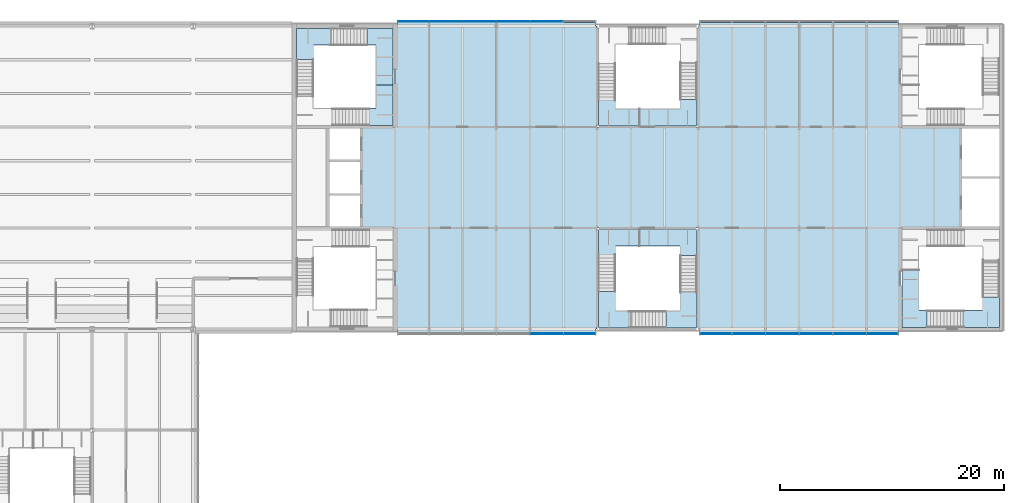
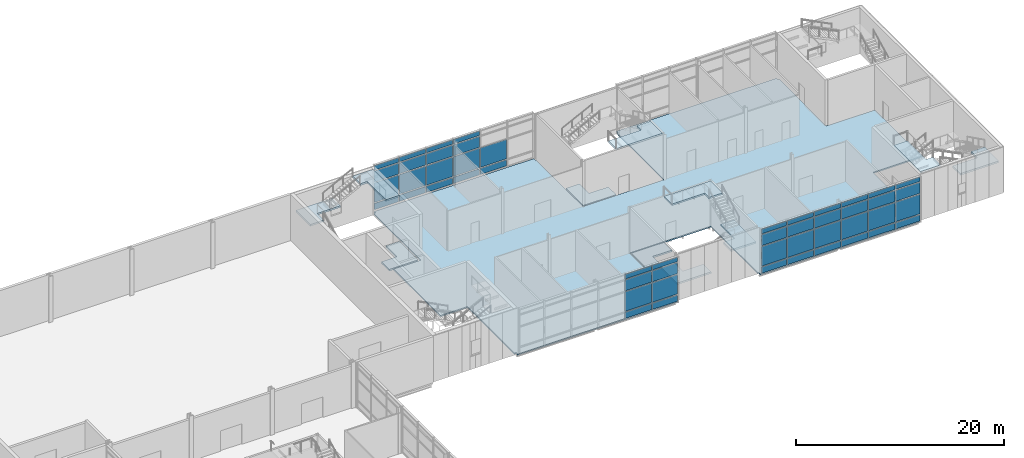
# One storey, part 31 of 52: 50 plates, 12 slabs, 7 elements without a shape of their own.
"""IFC4 building model written with IfcOpenShell, lengths in metres."""

from ifc_helpers import new_model, si_unit, direction, frame, origin, origin_2d, place, context, subcontext, project, spatial, polyline, rectangle, outline, extrude, material, layer, layer_set, type_object, element, aggregate, save


model = new_model("IFC4")

# Units and contexts
model_context = context("Model", 3, precision=1e-05, world=origin(), true_north=direction((0.0, 1.0)))
body_context = subcontext(model_context, "Body", "Model", "MODEL_VIEW")
ifc_project = project(units=[si_unit("LENGTHUNIT", "METRE"), si_unit("AREAUNIT", "SQUARE_METRE"), si_unit("VOLUMEUNIT", "CUBIC_METRE"), si_unit("PLANEANGLEUNIT", "RADIAN"), si_unit("MASSUNIT", "GRAM", prefix="KILO")], contexts=[model_context])

# Site, building, storey
site_placement = place(None, origin())
site = spatial("IfcSite", under=ifc_project, at=site_placement, CompositionType="ELEMENT")
building_placement = place(site_placement, origin())
building = spatial("IfcBuilding", under=site, at=building_placement, Name="Azimuth Sports and Learning Centre", CompositionType="ELEMENT")
storey_placement = place(building_placement, frame((0.0, 0.0, 16.199951171875)))
storey = spatial("IfcBuildingStorey", under=building, at=storey_placement, Name="L03", CompositionType="ELEMENT", Elevation=16.199951171875)

# Slab
ifc_material_1 = material(Name="Concrete C30/37", Category="concrete")
ifc_layer_1 = layer(ifc_material_1, 0.14990234375)
ifc_layer_set_1 = layer_set([ifc_layer_1], Name="Concrete C30/37")
slab_type_1 = type_object("IfcSlabType", Name="Composite floor slab 150", PredefinedType="FLOOR", material=ifc_layer_set_1)
slab_1_placement = place(storey_placement, frame((0.0, 0.0, -0.14990234375)))
element("IfcSlab", 1, at=slab_1_placement, inside=storey, type_object=slab_type_1, Name="Slab East wing L03", PredefinedType="FLOOR", context=body_context, shape_type="SweptSolid", body=[
    extrude(outline(polyline([(117.199951171875, 89.699951171875), (134.89990234375, 89.699951171875), (134.89990234375, 90.0), (135.0, 90.0), (135.0, 99.0), (144.0, 99.0), (144.0, 90.0), (144.10009765625, 90.0), (144.10009765625, 89.699951171875), (161.85009765625, 89.699951171875), (161.85009765625, 90.0), (162.0, 90.0), (162.0, 99.0), (167.39990234375, 99.0), (167.39990234375, 108.0), (162.0, 108.0), (162.0, 117.0), (161.85009765625, 117.0), (161.85009765625, 117.300048828125), (144.10009765625, 117.300048828125), (144.10009765625, 117.0), (144.0, 117.0), (144.0, 108.0), (135.0, 108.0), (135.0, 117.0), (134.89990234375, 117.0), (134.89990234375, 117.300048828125), (117.199951171875, 117.300048828125), (117.199951171875, 117.0), (117.0, 117.0), (117.0, 108.0), (114.0, 108.0), (114.0, 99.0), (117.0, 99.0), (117.0, 90.0), (117.199951171875, 90.0), (117.199951171875, 89.699951171875)])), origin(), (0.0, 0.0, 1.0), 0.14990234375),
])

# Stair, slabs
ifc_material_2 = material(Name="Concrete C32/40", Category="concrete")
stair_type_1 = type_object("IfcStairType", Name="Square-well stair core 5400 storey", PredefinedType="THREE_QUARTER_TURN_STAIR", material=ifc_material_2)
stair_1_placement = place(storey_placement, origin())
stair_1 = element("IfcStair", 2, at=stair_1_placement, inside=storey, type_object=stair_type_1, Name="Stair E2 L03-L04", PredefinedType="THREE_QUARTER_TURN_STAIR")
ifc_material_3 = material(Name="Concrete C32/40", Category="concrete")
ifc_layer_2 = layer(ifc_material_3, 0.199951171875)
ifc_layer_set_2 = layer_set([ifc_layer_2], Name="Concrete C32/40")
slab_type_2 = type_object("IfcSlabType", Name="Concrete stair landing", PredefinedType="LANDING", material=ifc_layer_set_2)
slab_2_placement = place(storey_placement, frame((0.0, 0.0, -0.199951171875)))
slab_2 = element("IfcSlab", 3, at=slab_2_placement, type_object=slab_type_2, Name="Stair E2 L03 landing 1", PredefinedType="LANDING", context=body_context, shape_type="SweptSolid", body=[
    extrude(outline(polyline([(116.7900390625, 108.159912109375), (116.7900390625, 111.75), (115.2900390625, 111.75), (115.2900390625, 109.659912109375), (113.590087890625, 109.659912109375), (113.590087890625, 108.159912109375), (116.7900390625, 108.159912109375)])), origin(), (0.0, 0.0, 1.0), 0.199951171875),
])
slab_3_placement = place(storey_placement, frame((0.0, 0.0, 3.400146484375)))
slab_3 = element("IfcSlab", 4, at=slab_3_placement, type_object=slab_type_2, Name="Stair E2 L03 landing 3", PredefinedType="LANDING", context=body_context, shape_type="SweptSolid", body=[
    extrude(outline(polyline([(109.7099609375, 115.2900390625), (112.31005859375, 115.2900390625), (112.31005859375, 116.7900390625), (108.2099609375, 116.7900390625), (108.2099609375, 114.00927734375), (109.7099609375, 114.00927734375), (109.7099609375, 115.2900390625)])), origin(), (0.0, 0.0, 1.0), 0.199951171875),
])
slab_4_placement = place(storey_placement, frame((0.0, 0.0, 5.199951171875)))
slab_4 = element("IfcSlab", 5, at=slab_4_placement, type_object=slab_type_2, Name="Stair E2 L03 landing 4", PredefinedType="LANDING", context=body_context, shape_type="SweptSolid", body=[
    extrude(outline(polyline([(115.2900390625, 115.2900390625), (115.2900390625, 111.75), (116.7900390625, 111.75), (116.7900390625, 116.7900390625), (114.50927734375, 116.7900390625), (114.50927734375, 115.2900390625), (115.2900390625, 115.2900390625)])), origin(), (0.0, 0.0, 1.0), 0.2001953125),
])
aggregate(stair_1, [slab_2, slab_3, slab_4])

ifc_material_4 = material(Name="Concrete C32/40", Category="concrete")
stair_type_2 = type_object("IfcStairType", Name="Square-well stair end core 5400 storey", PredefinedType="THREE_QUARTER_TURN_STAIR", material=ifc_material_4)
stair_2_placement = place(storey_placement, origin())
stair_2 = element("IfcStair", 6, at=stair_2_placement, inside=storey, type_object=stair_type_2, Name="Stair EW1 L03-L04", PredefinedType="THREE_QUARTER_TURN_STAIR")
slab_5_placement = place(storey_placement, frame((0.0, 0.0, 3.400146484375)))
slab_5 = element("IfcSlab", 7, at=slab_5_placement, type_object=slab_type_2, Name="Stair EW1 L03 landing 3", PredefinedType="LANDING", context=body_context, shape_type="SweptSolid", body=[
    extrude(outline(polyline([(169.340087890625, 91.659912109375), (166.590087890625, 91.659912109375), (166.590087890625, 90.159912109375), (170.840087890625, 90.159912109375), (170.840087890625, 92.86572265625), (169.340087890625, 92.86572265625), (169.340087890625, 91.659912109375)])), origin(), (0.0, 0.0, 1.0), 0.199951171875),
])
slab_6_placement = place(storey_placement, frame((0.0, 0.0, 5.199951171875)))
slab_6 = element("IfcSlab", 8, at=slab_6_placement, type_object=slab_type_2, Name="Stair EW1 L03 landing 4", PredefinedType="LANDING", context=body_context, shape_type="SweptSolid", body=[
    extrude(outline(polyline([(163.659912109375, 91.659912109375), (163.659912109375, 95.25), (162.159912109375, 95.25), (162.159912109375, 90.159912109375), (164.390625, 90.159912109375), (164.390625, 91.659912109375), (163.659912109375, 91.659912109375)])), origin(), (0.0, 0.0, 1.0), 0.2001953125),
])
aggregate(stair_2, [slab_5, slab_6])

ifc_material_5 = material(Name="Concrete C32/40", Category="concrete")
stair_type_3 = type_object("IfcStairType", Name="Square-well stair mid-wing cell 5400 storey", PredefinedType="THREE_QUARTER_TURN_STAIR", material=ifc_material_5)
stair_3_placement = place(storey_placement, origin())
stair_3 = element("IfcStair", 9, at=stair_3_placement, inside=storey, type_object=stair_type_3, Name="Stair EM1 L03-L04", PredefinedType="THREE_QUARTER_TURN_STAIR")
slab_7_placement = place(storey_placement, frame((0.0, 0.0, -0.199951171875)))
slab_7 = element("IfcSlab", 10, at=slab_7_placement, type_object=slab_type_2, Name="Stair EM1 L03 landing 1", PredefinedType="LANDING", context=body_context, shape_type="SweptSolid", body=[
    extrude(outline(polyline([(136.610107421875, 95.5400390625), (136.610107421875, 97.389892578125), (138.75, 97.389892578125), (138.75, 98.889892578125), (135.110107421875, 98.889892578125), (135.110107421875, 95.5400390625), (136.610107421875, 95.5400390625)])), origin(), (0.0, 0.0, 1.0), 0.199951171875),
])
slab_8_placement = place(storey_placement, frame((0.0, 0.0, 1.60009765625)))
slab_8 = element("IfcSlab", 11, at=slab_8_placement, type_object=slab_type_2, Name="Stair EM1 L03 landing 2", PredefinedType="LANDING", context=body_context, shape_type="SweptSolid", body=[
    extrude(outline(polyline([(136.610107421875, 91.610107421875), (136.610107421875, 93.3408203125), (135.110107421875, 93.3408203125), (135.110107421875, 90.110107421875), (138.909912109375, 90.110107421875), (138.909912109375, 91.610107421875), (136.610107421875, 91.610107421875)])), origin(), (0.0, 0.0, 1.0), 0.199951171875),
])
slab_9_placement = place(storey_placement, frame((0.0, 0.0, 3.400146484375)))
slab_9 = element("IfcSlab", 12, at=slab_9_placement, type_object=slab_type_2, Name="Stair EM1 L03 landing 3", PredefinedType="LANDING", context=body_context, shape_type="SweptSolid", body=[
    extrude(outline(polyline([(142.389892578125, 91.610107421875), (141.109375, 91.610107421875), (141.109375, 90.110107421875), (143.889892578125, 90.110107421875), (143.889892578125, 94.360107421875), (142.389892578125, 94.360107421875), (142.389892578125, 91.610107421875)])), origin(), (0.0, 0.0, 1.0), 0.199951171875),
])
slab_10_placement = place(storey_placement, frame((0.0, 0.0, 5.199951171875)))
slab_10 = element("IfcSlab", 13, at=slab_10_placement, type_object=slab_type_2, Name="Stair EM1 L03 landing 4", PredefinedType="LANDING", context=body_context, shape_type="SweptSolid", body=[
    extrude(outline(polyline([(142.389892578125, 97.389892578125), (142.389892578125, 96.559326171875), (143.889892578125, 96.559326171875), (143.889892578125, 98.889892578125), (138.75, 98.889892578125), (138.75, 97.389892578125), (142.389892578125, 97.389892578125)])), origin(), (0.0, 0.0, 1.0), 0.2001953125),
])
aggregate(stair_3, [slab_7, slab_8, slab_9, slab_10])

stair_4_placement = place(storey_placement, origin())
stair_4 = element("IfcStair", 14, at=stair_4_placement, inside=storey, type_object=stair_type_3, Name="Stair EM2 L03-L04", PredefinedType="THREE_QUARTER_TURN_STAIR")
slab_11_placement = place(storey_placement, frame((0.0, 0.0, -0.199951171875)))
slab_11 = element("IfcSlab", 15, at=slab_11_placement, type_object=slab_type_2, Name="Stair EM2 L03 landing 1", PredefinedType="LANDING", context=body_context, shape_type="SweptSolid", body=[
    extrude(outline(polyline([(135.110107421875, 108.110107421875), (138.75, 108.110107421875), (138.75, 109.610107421875), (136.610107421875, 109.610107421875), (136.610107421875, 111.4599609375), (135.110107421875, 111.4599609375), (135.110107421875, 108.110107421875)])), origin(), (0.0, 0.0, 1.0), 0.199951171875),
])
slab_12_placement = place(storey_placement, frame((0.0, 0.0, 5.199951171875)))
slab_12 = element("IfcSlab", 16, at=slab_12_placement, type_object=slab_type_2, Name="Stair EM2 L03 landing 4", PredefinedType="LANDING", context=body_context, shape_type="SweptSolid", body=[
    extrude(outline(polyline([(142.389892578125, 109.610107421875), (138.75, 109.610107421875), (138.75, 108.110107421875), (143.889892578125, 108.110107421875), (143.889892578125, 110.440673828125), (142.389892578125, 110.440673828125), (142.389892578125, 109.610107421875)])), origin(), (0.0, 0.0, 1.0), 0.2001953125),
])
aggregate(stair_4, [slab_11, slab_12])

# Curtain wall, plates
ifc_material_6 = material(Name="Aluminium and glass", Category="aluminium")
curtain_wall_type = type_object("IfcCurtainWallType", Name="Curtain wall podium wing 240", PredefinedType="NOTDEFINED", material=ifc_material_6)
curtain_wall_1_placement = place(storey_placement, origin())
curtain_wall_1 = element("IfcCurtainWall", 17, at=curtain_wall_1_placement, inside=storey, type_object=curtain_wall_type, Name="Curtain wall CW03-009", PredefinedType="NOTDEFINED")
ifc_material_7 = material(Name="Insulated aluminium panel", Category="aluminium")
ifc_layer_3 = layer(ifc_material_7, 0.06005859375)
ifc_layer_set_3 = layer_set([ifc_layer_3], Name="Insulated aluminium panel")
plate_type_1 = type_object("IfcPlateType", Name="Spandrel panel 60 mm", PredefinedType="CURTAIN_PANEL", material=ifc_layer_set_3)
plate_1_placement = place(storey_placement, frame((130.5, 89.580078125, 0.1201171875), z_axis=(0.0, 0.0, 1.0), x_axis=(1.0, 0.0, 0.0)))
plate_1 = element("IfcPlate", 18, at=plate_1_placement, type_object=plate_type_1, Name="CW03-009 panel 5.1", PredefinedType="CURTAIN_PANEL", context=body_context, shape_type="SweptSolid", body=[
    extrude(rectangle(XDim=2.919921875, YDim=0.06005859375, at=origin_2d()), origin(), (0.0, 0.0, 1.0), 0.719970703125),
])
plate_2_placement = place(storey_placement, frame((130.5, 89.580078125, 4.760009765625), z_axis=(0.0, 0.0, 1.0), x_axis=(1.0, 0.0, 0.0)))
plate_2 = element("IfcPlate", 19, at=plate_2_placement, type_object=plate_type_1, Name="CW03-009 panel 5.4", PredefinedType="CURTAIN_PANEL", context=body_context, shape_type="SweptSolid", body=[
    extrude(rectangle(XDim=2.919921875, YDim=0.06005859375, at=origin_2d()), origin(), (0.0, 0.0, 1.0), 0.52001953125),
])
plate_3_placement = place(storey_placement, frame((133.429931640625, 89.580078125, 0.1201171875), z_axis=(0.0, 0.0, 1.0), x_axis=(1.0, 0.0, 0.0)))
plate_3 = element("IfcPlate", 20, at=plate_3_placement, type_object=plate_type_1, Name="CW03-009 panel 6.1", PredefinedType="CURTAIN_PANEL", context=body_context, shape_type="SweptSolid", body=[
    extrude(rectangle(XDim=2.780029296875, YDim=0.06005859375, at=origin_2d()), origin(), (0.0, 0.0, 1.0), 0.719970703125),
])
plate_4_placement = place(storey_placement, frame((133.429931640625, 89.580078125, 4.760009765625), z_axis=(0.0, 0.0, 1.0), x_axis=(1.0, 0.0, 0.0)))
plate_4 = element("IfcPlate", 21, at=plate_4_placement, type_object=plate_type_1, Name="CW03-009 panel 6.4", PredefinedType="CURTAIN_PANEL", context=body_context, shape_type="SweptSolid", body=[
    extrude(rectangle(XDim=2.780029296875, YDim=0.06005859375, at=origin_2d()), origin(), (0.0, 0.0, 1.0), 0.52001953125),
])

curtain_wall_2_placement = place(storey_placement, origin())
curtain_wall_2 = element("IfcCurtainWall", 22, at=curtain_wall_2_placement, inside=storey, type_object=curtain_wall_type, Name="Curtain wall CW03-010", PredefinedType="NOTDEFINED")
plate_5_placement = place(storey_placement, frame((145.570068359375, 89.580078125, 0.1201171875), z_axis=(0.0, 0.0, 1.0), x_axis=(1.0, 0.0, 0.0)))
plate_5 = element("IfcPlate", 23, at=plate_5_placement, type_object=plate_type_1, Name="CW03-010 panel 1.1", PredefinedType="CURTAIN_PANEL", context=body_context, shape_type="SweptSolid", body=[
    extrude(rectangle(XDim=2.780029296875, YDim=0.06005859375, at=origin_2d()), origin(), (0.0, 0.0, 1.0), 0.719970703125),
])
plate_6_placement = place(storey_placement, frame((145.570068359375, 89.580078125, 4.760009765625), z_axis=(0.0, 0.0, 1.0), x_axis=(1.0, 0.0, 0.0)))
plate_6 = element("IfcPlate", 24, at=plate_6_placement, type_object=plate_type_1, Name="CW03-010 panel 1.4", PredefinedType="CURTAIN_PANEL", context=body_context, shape_type="SweptSolid", body=[
    extrude(rectangle(XDim=2.780029296875, YDim=0.06005859375, at=origin_2d()), origin(), (0.0, 0.0, 1.0), 0.52001953125),
])
plate_7_placement = place(storey_placement, frame((148.5, 89.580078125, 0.1201171875), z_axis=(0.0, 0.0, 1.0), x_axis=(1.0, 0.0, 0.0)))
plate_7 = element("IfcPlate", 25, at=plate_7_placement, type_object=plate_type_1, Name="CW03-010 panel 2.1", PredefinedType="CURTAIN_PANEL", context=body_context, shape_type="SweptSolid", body=[
    extrude(rectangle(XDim=2.919921875, YDim=0.06005859375, at=origin_2d()), origin(), (0.0, 0.0, 1.0), 0.719970703125),
])
plate_8_placement = place(storey_placement, frame((148.5, 89.580078125, 4.760009765625), z_axis=(0.0, 0.0, 1.0), x_axis=(1.0, 0.0, 0.0)))
plate_8 = element("IfcPlate", 26, at=plate_8_placement, type_object=plate_type_1, Name="CW03-010 panel 2.4", PredefinedType="CURTAIN_PANEL", context=body_context, shape_type="SweptSolid", body=[
    extrude(rectangle(XDim=2.919921875, YDim=0.06005859375, at=origin_2d()), origin(), (0.0, 0.0, 1.0), 0.52001953125),
])
plate_9_placement = place(storey_placement, frame((151.5, 89.580078125, 0.1201171875), z_axis=(0.0, 0.0, 1.0), x_axis=(1.0, 0.0, 0.0)))
plate_9 = element("IfcPlate", 27, at=plate_9_placement, type_object=plate_type_1, Name="CW03-010 panel 3.1", PredefinedType="CURTAIN_PANEL", context=body_context, shape_type="SweptSolid", body=[
    extrude(rectangle(XDim=2.919921875, YDim=0.06005859375, at=origin_2d()), origin(), (0.0, 0.0, 1.0), 0.719970703125),
])
plate_10_placement = place(storey_placement, frame((151.5, 89.580078125, 4.760009765625), z_axis=(0.0, 0.0, 1.0), x_axis=(1.0, 0.0, 0.0)))
plate_10 = element("IfcPlate", 28, at=plate_10_placement, type_object=plate_type_1, Name="CW03-010 panel 3.4", PredefinedType="CURTAIN_PANEL", context=body_context, shape_type="SweptSolid", body=[
    extrude(rectangle(XDim=2.919921875, YDim=0.06005859375, at=origin_2d()), origin(), (0.0, 0.0, 1.0), 0.52001953125),
])
plate_11_placement = place(storey_placement, frame((154.5, 89.580078125, 0.1201171875), z_axis=(0.0, 0.0, 1.0), x_axis=(1.0, 0.0, 0.0)))
plate_11 = element("IfcPlate", 29, at=plate_11_placement, type_object=plate_type_1, Name="CW03-010 panel 4.1", PredefinedType="CURTAIN_PANEL", context=body_context, shape_type="SweptSolid", body=[
    extrude(rectangle(XDim=2.919921875, YDim=0.06005859375, at=origin_2d()), origin(), (0.0, 0.0, 1.0), 0.719970703125),
])
plate_12_placement = place(storey_placement, frame((154.5, 89.580078125, 4.760009765625), z_axis=(0.0, 0.0, 1.0), x_axis=(1.0, 0.0, 0.0)))
plate_12 = element("IfcPlate", 30, at=plate_12_placement, type_object=plate_type_1, Name="CW03-010 panel 4.4", PredefinedType="CURTAIN_PANEL", context=body_context, shape_type="SweptSolid", body=[
    extrude(rectangle(XDim=2.919921875, YDim=0.06005859375, at=origin_2d()), origin(), (0.0, 0.0, 1.0), 0.52001953125),
])
plate_13_placement = place(storey_placement, frame((157.5, 89.580078125, 0.1201171875), z_axis=(0.0, 0.0, 1.0), x_axis=(1.0, 0.0, 0.0)))
plate_13 = element("IfcPlate", 31, at=plate_13_placement, type_object=plate_type_1, Name="CW03-010 panel 5.1", PredefinedType="CURTAIN_PANEL", context=body_context, shape_type="SweptSolid", body=[
    extrude(rectangle(XDim=2.919921875, YDim=0.06005859375, at=origin_2d()), origin(), (0.0, 0.0, 1.0), 0.719970703125),
])
plate_14_placement = place(storey_placement, frame((157.5, 89.580078125, 4.760009765625), z_axis=(0.0, 0.0, 1.0), x_axis=(1.0, 0.0, 0.0)))
plate_14 = element("IfcPlate", 32, at=plate_14_placement, type_object=plate_type_1, Name="CW03-010 panel 5.4", PredefinedType="CURTAIN_PANEL", context=body_context, shape_type="SweptSolid", body=[
    extrude(rectangle(XDim=2.919921875, YDim=0.06005859375, at=origin_2d()), origin(), (0.0, 0.0, 1.0), 0.52001953125),
])
plate_15_placement = place(storey_placement, frame((160.405029296875, 89.580078125, 0.1201171875), z_axis=(0.0, 0.0, 1.0), x_axis=(1.0, 0.0, 0.0)))
plate_15 = element("IfcPlate", 33, at=plate_15_placement, type_object=plate_type_1, Name="CW03-010 panel 6.1", PredefinedType="CURTAIN_PANEL", context=body_context, shape_type="SweptSolid", body=[
    extrude(rectangle(XDim=2.72998046875, YDim=0.06005859375, at=origin_2d()), origin(), (0.0, 0.0, 1.0), 0.719970703125),
])
plate_16_placement = place(storey_placement, frame((160.405029296875, 89.580078125, 4.760009765625), z_axis=(0.0, 0.0, 1.0), x_axis=(1.0, 0.0, 0.0)))
plate_16 = element("IfcPlate", 34, at=plate_16_placement, type_object=plate_type_1, Name="CW03-010 panel 6.4", PredefinedType="CURTAIN_PANEL", context=body_context, shape_type="SweptSolid", body=[
    extrude(rectangle(XDim=2.72998046875, YDim=0.06005859375, at=origin_2d()), origin(), (0.0, 0.0, 1.0), 0.52001953125),
])

curtain_wall_3_placement = place(storey_placement, origin())
curtain_wall_3 = element("IfcCurtainWall", 35, at=curtain_wall_3_placement, inside=storey, type_object=curtain_wall_type, Name="Curtain wall CW03-012", PredefinedType="NOTDEFINED")
plate_17_placement = place(storey_placement, frame((130.5, 117.419921875, 0.1201171875), z_axis=(0.0, 0.0, 1.0), x_axis=(-1.0, 0.0, 0.0)))
plate_17 = element("IfcPlate", 36, at=plate_17_placement, type_object=plate_type_1, Name="CW03-012 panel 2.1", PredefinedType="CURTAIN_PANEL", context=body_context, shape_type="SweptSolid", body=[
    extrude(rectangle(XDim=2.919921875, YDim=0.06005859375, at=origin_2d()), origin(), (0.0, 0.0, 1.0), 0.719970703125),
])
plate_18_placement = place(storey_placement, frame((127.5, 117.419921875, 0.1201171875), z_axis=(0.0, 0.0, 1.0), x_axis=(-1.0, 0.0, 0.0)))
plate_18 = element("IfcPlate", 37, at=plate_18_placement, type_object=plate_type_1, Name="CW03-012 panel 3.1", PredefinedType="CURTAIN_PANEL", context=body_context, shape_type="SweptSolid", body=[
    extrude(rectangle(XDim=2.919921875, YDim=0.06005859375, at=origin_2d()), origin(), (0.0, 0.0, 1.0), 0.719970703125),
])
plate_19_placement = place(storey_placement, frame((127.5, 117.419921875, 4.760009765625), z_axis=(0.0, 0.0, 1.0), x_axis=(-1.0, 0.0, 0.0)))
plate_19 = element("IfcPlate", 38, at=plate_19_placement, type_object=plate_type_1, Name="CW03-012 panel 3.4", PredefinedType="CURTAIN_PANEL", context=body_context, shape_type="SweptSolid", body=[
    extrude(rectangle(XDim=2.919921875, YDim=0.06005859375, at=origin_2d()), origin(), (0.0, 0.0, 1.0), 0.52001953125),
])
plate_20_placement = place(storey_placement, frame((124.5, 117.419921875, 0.1201171875), z_axis=(0.0, 0.0, 1.0), x_axis=(-1.0, 0.0, 0.0)))
plate_20 = element("IfcPlate", 39, at=plate_20_placement, type_object=plate_type_1, Name="CW03-012 panel 4.1", PredefinedType="CURTAIN_PANEL", context=body_context, shape_type="SweptSolid", body=[
    extrude(rectangle(XDim=2.919921875, YDim=0.06005859375, at=origin_2d()), origin(), (0.0, 0.0, 1.0), 0.719970703125),
])
plate_21_placement = place(storey_placement, frame((124.5, 117.419921875, 4.760009765625), z_axis=(0.0, 0.0, 1.0), x_axis=(-1.0, 0.0, 0.0)))
plate_21 = element("IfcPlate", 40, at=plate_21_placement, type_object=plate_type_1, Name="CW03-012 panel 4.4", PredefinedType="CURTAIN_PANEL", context=body_context, shape_type="SweptSolid", body=[
    extrude(rectangle(XDim=2.919921875, YDim=0.06005859375, at=origin_2d()), origin(), (0.0, 0.0, 1.0), 0.52001953125),
])
plate_22_placement = place(storey_placement, frame((121.5, 117.419921875, 0.1201171875), z_axis=(0.0, 0.0, 1.0), x_axis=(-1.0, 0.0, 0.0)))
plate_22 = element("IfcPlate", 41, at=plate_22_placement, type_object=plate_type_1, Name="CW03-012 panel 5.1", PredefinedType="CURTAIN_PANEL", context=body_context, shape_type="SweptSolid", body=[
    extrude(rectangle(XDim=2.919921875, YDim=0.06005859375, at=origin_2d()), origin(), (0.0, 0.0, 1.0), 0.719970703125),
])
plate_23_placement = place(storey_placement, frame((121.5, 117.419921875, 4.760009765625), z_axis=(0.0, 0.0, 1.0), x_axis=(-1.0, 0.0, 0.0)))
plate_23 = element("IfcPlate", 42, at=plate_23_placement, type_object=plate_type_1, Name="CW03-012 panel 5.4", PredefinedType="CURTAIN_PANEL", context=body_context, shape_type="SweptSolid", body=[
    extrude(rectangle(XDim=2.919921875, YDim=0.06005859375, at=origin_2d()), origin(), (0.0, 0.0, 1.0), 0.52001953125),
])
plate_24_placement = place(storey_placement, frame((118.6201171875, 117.419921875, 0.1201171875), z_axis=(0.0, 0.0, 1.0), x_axis=(-1.0, 0.0, 0.0)))
plate_24 = element("IfcPlate", 43, at=plate_24_placement, type_object=plate_type_1, Name="CW03-012 panel 6.1", PredefinedType="CURTAIN_PANEL", context=body_context, shape_type="SweptSolid", body=[
    extrude(rectangle(XDim=2.679931640625, YDim=0.06005859375, at=origin_2d()), origin(), (0.0, 0.0, 1.0), 0.719970703125),
])
plate_25_placement = place(storey_placement, frame((118.6201171875, 117.419921875, 4.760009765625), z_axis=(0.0, 0.0, 1.0), x_axis=(-1.0, 0.0, 0.0)))
plate_25 = element("IfcPlate", 44, at=plate_25_placement, type_object=plate_type_1, Name="CW03-012 panel 6.4", PredefinedType="CURTAIN_PANEL", context=body_context, shape_type="SweptSolid", body=[
    extrude(rectangle(XDim=2.679931640625, YDim=0.06005859375, at=origin_2d()), origin(), (0.0, 0.0, 1.0), 0.52001953125),
])

# Plate
ifc_material_8 = material(Name="Glass", Category="glass")
ifc_layer_4 = layer(ifc_material_8, 0.0439453125)
ifc_layer_set_4 = layer_set([ifc_layer_4], Name="Glass")
plate_type_2 = type_object("IfcPlateType", Name="Vision glass 44 mm", PredefinedType="CURTAIN_PANEL", material=ifc_layer_set_4)
plate_26_placement = place(storey_placement, frame((130.5, 89.580078125, 0.9599609375), z_axis=(0.0, 0.0, 1.0), x_axis=(1.0, 0.0, 0.0)))
plate_26 = element("IfcPlate", 45, at=plate_26_placement, type_object=plate_type_2, Name="CW03-009 panel 5.2", PredefinedType="CURTAIN_PANEL", context=body_context, shape_type="SweptSolid", body=[
    extrude(rectangle(XDim=2.919921875, YDim=0.0439453125, at=origin_2d()), origin(), (0.0, 0.0, 1.0), 2.280029296875),
])

plate_27_placement = place(storey_placement, frame((130.5, 89.580078125, 3.35986328125), z_axis=(0.0, 0.0, 1.0), x_axis=(1.0, 0.0, 0.0)))
plate_27 = element("IfcPlate", 46, at=plate_27_placement, type_object=plate_type_2, Name="CW03-009 panel 5.3", PredefinedType="CURTAIN_PANEL", context=body_context, shape_type="SweptSolid", body=[
    extrude(rectangle(XDim=2.919921875, YDim=0.0439453125, at=origin_2d()), origin(), (0.0, 0.0, 1.0), 1.280029296875),
])

plate_28_placement = place(storey_placement, frame((133.429931640625, 89.580078125, 0.9599609375), z_axis=(0.0, 0.0, 1.0), x_axis=(1.0, 0.0, 0.0)))
plate_28 = element("IfcPlate", 47, at=plate_28_placement, type_object=plate_type_2, Name="CW03-009 panel 6.2", PredefinedType="CURTAIN_PANEL", context=body_context, shape_type="SweptSolid", body=[
    extrude(rectangle(XDim=2.780029296875, YDim=0.0439453125, at=origin_2d()), origin(), (0.0, 0.0, 1.0), 2.280029296875),
])

plate_29_placement = place(storey_placement, frame((133.429931640625, 89.580078125, 3.35986328125), z_axis=(0.0, 0.0, 1.0), x_axis=(1.0, 0.0, 0.0)))
plate_29 = element("IfcPlate", 48, at=plate_29_placement, type_object=plate_type_2, Name="CW03-009 panel 6.3", PredefinedType="CURTAIN_PANEL", context=body_context, shape_type="SweptSolid", body=[
    extrude(rectangle(XDim=2.780029296875, YDim=0.0439453125, at=origin_2d()), origin(), (0.0, 0.0, 1.0), 1.280029296875),
])

aggregate(curtain_wall_1, [plate_1, plate_26, plate_27, plate_2, plate_3, plate_28, plate_29, plate_4])

plate_30_placement = place(storey_placement, frame((145.570068359375, 89.580078125, 0.9599609375), z_axis=(0.0, 0.0, 1.0), x_axis=(1.0, 0.0, 0.0)))
plate_30 = element("IfcPlate", 49, at=plate_30_placement, type_object=plate_type_2, Name="CW03-010 panel 1.2", PredefinedType="CURTAIN_PANEL", context=body_context, shape_type="SweptSolid", body=[
    extrude(rectangle(XDim=2.780029296875, YDim=0.0439453125, at=origin_2d()), origin(), (0.0, 0.0, 1.0), 2.280029296875),
])

plate_31_placement = place(storey_placement, frame((145.570068359375, 89.580078125, 3.35986328125), z_axis=(0.0, 0.0, 1.0), x_axis=(1.0, 0.0, 0.0)))
plate_31 = element("IfcPlate", 50, at=plate_31_placement, type_object=plate_type_2, Name="CW03-010 panel 1.3", PredefinedType="CURTAIN_PANEL", context=body_context, shape_type="SweptSolid", body=[
    extrude(rectangle(XDim=2.780029296875, YDim=0.0439453125, at=origin_2d()), origin(), (0.0, 0.0, 1.0), 1.280029296875),
])

plate_32_placement = place(storey_placement, frame((148.5, 89.580078125, 0.9599609375), z_axis=(0.0, 0.0, 1.0), x_axis=(1.0, 0.0, 0.0)))
plate_32 = element("IfcPlate", 51, at=plate_32_placement, type_object=plate_type_2, Name="CW03-010 panel 2.2", PredefinedType="CURTAIN_PANEL", context=body_context, shape_type="SweptSolid", body=[
    extrude(rectangle(XDim=2.919921875, YDim=0.0439453125, at=origin_2d()), origin(), (0.0, 0.0, 1.0), 2.280029296875),
])

plate_33_placement = place(storey_placement, frame((148.5, 89.580078125, 3.35986328125), z_axis=(0.0, 0.0, 1.0), x_axis=(1.0, 0.0, 0.0)))
plate_33 = element("IfcPlate", 52, at=plate_33_placement, type_object=plate_type_2, Name="CW03-010 panel 2.3", PredefinedType="CURTAIN_PANEL", context=body_context, shape_type="SweptSolid", body=[
    extrude(rectangle(XDim=2.919921875, YDim=0.0439453125, at=origin_2d()), origin(), (0.0, 0.0, 1.0), 1.280029296875),
])

plate_34_placement = place(storey_placement, frame((151.5, 89.580078125, 0.9599609375), z_axis=(0.0, 0.0, 1.0), x_axis=(1.0, 0.0, 0.0)))
plate_34 = element("IfcPlate", 53, at=plate_34_placement, type_object=plate_type_2, Name="CW03-010 panel 3.2", PredefinedType="CURTAIN_PANEL", context=body_context, shape_type="SweptSolid", body=[
    extrude(rectangle(XDim=2.919921875, YDim=0.0439453125, at=origin_2d()), origin(), (0.0, 0.0, 1.0), 2.280029296875),
])

plate_35_placement = place(storey_placement, frame((151.5, 89.580078125, 3.35986328125), z_axis=(0.0, 0.0, 1.0), x_axis=(1.0, 0.0, 0.0)))
plate_35 = element("IfcPlate", 54, at=plate_35_placement, type_object=plate_type_2, Name="CW03-010 panel 3.3", PredefinedType="CURTAIN_PANEL", context=body_context, shape_type="SweptSolid", body=[
    extrude(rectangle(XDim=2.919921875, YDim=0.0439453125, at=origin_2d()), origin(), (0.0, 0.0, 1.0), 1.280029296875),
])

plate_36_placement = place(storey_placement, frame((154.5, 89.580078125, 0.9599609375), z_axis=(0.0, 0.0, 1.0), x_axis=(1.0, 0.0, 0.0)))
plate_36 = element("IfcPlate", 55, at=plate_36_placement, type_object=plate_type_2, Name="CW03-010 panel 4.2", PredefinedType="CURTAIN_PANEL", context=body_context, shape_type="SweptSolid", body=[
    extrude(rectangle(XDim=2.919921875, YDim=0.0439453125, at=origin_2d()), origin(), (0.0, 0.0, 1.0), 2.280029296875),
])

plate_37_placement = place(storey_placement, frame((154.5, 89.580078125, 3.35986328125), z_axis=(0.0, 0.0, 1.0), x_axis=(1.0, 0.0, 0.0)))
plate_37 = element("IfcPlate", 56, at=plate_37_placement, type_object=plate_type_2, Name="CW03-010 panel 4.3", PredefinedType="CURTAIN_PANEL", context=body_context, shape_type="SweptSolid", body=[
    extrude(rectangle(XDim=2.919921875, YDim=0.0439453125, at=origin_2d()), origin(), (0.0, 0.0, 1.0), 1.280029296875),
])

plate_38_placement = place(storey_placement, frame((157.5, 89.580078125, 0.9599609375), z_axis=(0.0, 0.0, 1.0), x_axis=(1.0, 0.0, 0.0)))
plate_38 = element("IfcPlate", 57, at=plate_38_placement, type_object=plate_type_2, Name="CW03-010 panel 5.2", PredefinedType="CURTAIN_PANEL", context=body_context, shape_type="SweptSolid", body=[
    extrude(rectangle(XDim=2.919921875, YDim=0.0439453125, at=origin_2d()), origin(), (0.0, 0.0, 1.0), 2.280029296875),
])

plate_39_placement = place(storey_placement, frame((157.5, 89.580078125, 3.35986328125), z_axis=(0.0, 0.0, 1.0), x_axis=(1.0, 0.0, 0.0)))
plate_39 = element("IfcPlate", 58, at=plate_39_placement, type_object=plate_type_2, Name="CW03-010 panel 5.3", PredefinedType="CURTAIN_PANEL", context=body_context, shape_type="SweptSolid", body=[
    extrude(rectangle(XDim=2.919921875, YDim=0.0439453125, at=origin_2d()), origin(), (0.0, 0.0, 1.0), 1.280029296875),
])

plate_40_placement = place(storey_placement, frame((160.405029296875, 89.580078125, 0.9599609375), z_axis=(0.0, 0.0, 1.0), x_axis=(1.0, 0.0, 0.0)))
plate_40 = element("IfcPlate", 59, at=plate_40_placement, type_object=plate_type_2, Name="CW03-010 panel 6.2", PredefinedType="CURTAIN_PANEL", context=body_context, shape_type="SweptSolid", body=[
    extrude(rectangle(XDim=2.72998046875, YDim=0.0439453125, at=origin_2d()), origin(), (0.0, 0.0, 1.0), 2.280029296875),
])

plate_41_placement = place(storey_placement, frame((160.405029296875, 89.580078125, 3.35986328125), z_axis=(0.0, 0.0, 1.0), x_axis=(1.0, 0.0, 0.0)))
plate_41 = element("IfcPlate", 60, at=plate_41_placement, type_object=plate_type_2, Name="CW03-010 panel 6.3", PredefinedType="CURTAIN_PANEL", context=body_context, shape_type="SweptSolid", body=[
    extrude(rectangle(XDim=2.72998046875, YDim=0.0439453125, at=origin_2d()), origin(), (0.0, 0.0, 1.0), 1.280029296875),
])

aggregate(curtain_wall_2, [plate_5, plate_30, plate_31, plate_6, plate_7, plate_32, plate_33, plate_8, plate_9, plate_34, plate_35, plate_10, plate_11, plate_36, plate_37, plate_12, plate_13, plate_38, plate_39, plate_14, plate_15, plate_40, plate_41, plate_16])

plate_42_placement = place(storey_placement, frame((130.5, 117.419921875, 0.9599609375), z_axis=(0.0, 0.0, 1.0), x_axis=(-1.0, 0.0, 0.0)))
plate_42 = element("IfcPlate", 61, at=plate_42_placement, type_object=plate_type_2, Name="CW03-012 panel 2.2", PredefinedType="CURTAIN_PANEL", context=body_context, shape_type="SweptSolid", body=[
    extrude(rectangle(XDim=2.919921875, YDim=0.0439453125, at=origin_2d()), origin(), (0.0, 0.0, 1.0), 2.280029296875),
])

plate_43_placement = place(storey_placement, frame((127.5, 117.419921875, 0.9599609375), z_axis=(0.0, 0.0, 1.0), x_axis=(-1.0, 0.0, 0.0)))
plate_43 = element("IfcPlate", 62, at=plate_43_placement, type_object=plate_type_2, Name="CW03-012 panel 3.2", PredefinedType="CURTAIN_PANEL", context=body_context, shape_type="SweptSolid", body=[
    extrude(rectangle(XDim=2.919921875, YDim=0.0439453125, at=origin_2d()), origin(), (0.0, 0.0, 1.0), 2.280029296875),
])

plate_44_placement = place(storey_placement, frame((127.5, 117.419921875, 3.35986328125), z_axis=(0.0, 0.0, 1.0), x_axis=(-1.0, 0.0, 0.0)))
plate_44 = element("IfcPlate", 63, at=plate_44_placement, type_object=plate_type_2, Name="CW03-012 panel 3.3", PredefinedType="CURTAIN_PANEL", context=body_context, shape_type="SweptSolid", body=[
    extrude(rectangle(XDim=2.919921875, YDim=0.0439453125, at=origin_2d()), origin(), (0.0, 0.0, 1.0), 1.280029296875),
])

plate_45_placement = place(storey_placement, frame((124.5, 117.419921875, 0.9599609375), z_axis=(0.0, 0.0, 1.0), x_axis=(-1.0, 0.0, 0.0)))
plate_45 = element("IfcPlate", 64, at=plate_45_placement, type_object=plate_type_2, Name="CW03-012 panel 4.2", PredefinedType="CURTAIN_PANEL", context=body_context, shape_type="SweptSolid", body=[
    extrude(rectangle(XDim=2.919921875, YDim=0.0439453125, at=origin_2d()), origin(), (0.0, 0.0, 1.0), 2.280029296875),
])

plate_46_placement = place(storey_placement, frame((124.5, 117.419921875, 3.35986328125), z_axis=(0.0, 0.0, 1.0), x_axis=(-1.0, 0.0, 0.0)))
plate_46 = element("IfcPlate", 65, at=plate_46_placement, type_object=plate_type_2, Name="CW03-012 panel 4.3", PredefinedType="CURTAIN_PANEL", context=body_context, shape_type="SweptSolid", body=[
    extrude(rectangle(XDim=2.919921875, YDim=0.0439453125, at=origin_2d()), origin(), (0.0, 0.0, 1.0), 1.280029296875),
])

plate_47_placement = place(storey_placement, frame((121.5, 117.419921875, 0.9599609375), z_axis=(0.0, 0.0, 1.0), x_axis=(-1.0, 0.0, 0.0)))
plate_47 = element("IfcPlate", 66, at=plate_47_placement, type_object=plate_type_2, Name="CW03-012 panel 5.2", PredefinedType="CURTAIN_PANEL", context=body_context, shape_type="SweptSolid", body=[
    extrude(rectangle(XDim=2.919921875, YDim=0.0439453125, at=origin_2d()), origin(), (0.0, 0.0, 1.0), 2.280029296875),
])

plate_48_placement = place(storey_placement, frame((121.5, 117.419921875, 3.35986328125), z_axis=(0.0, 0.0, 1.0), x_axis=(-1.0, 0.0, 0.0)))
plate_48 = element("IfcPlate", 67, at=plate_48_placement, type_object=plate_type_2, Name="CW03-012 panel 5.3", PredefinedType="CURTAIN_PANEL", context=body_context, shape_type="SweptSolid", body=[
    extrude(rectangle(XDim=2.919921875, YDim=0.0439453125, at=origin_2d()), origin(), (0.0, 0.0, 1.0), 1.280029296875),
])

plate_49_placement = place(storey_placement, frame((118.6201171875, 117.419921875, 0.9599609375), z_axis=(0.0, 0.0, 1.0), x_axis=(-1.0, 0.0, 0.0)))
plate_49 = element("IfcPlate", 68, at=plate_49_placement, type_object=plate_type_2, Name="CW03-012 panel 6.2", PredefinedType="CURTAIN_PANEL", context=body_context, shape_type="SweptSolid", body=[
    extrude(rectangle(XDim=2.679931640625, YDim=0.0439453125, at=origin_2d()), origin(), (0.0, 0.0, 1.0), 2.280029296875),
])

plate_50_placement = place(storey_placement, frame((118.6201171875, 117.419921875, 3.35986328125), z_axis=(0.0, 0.0, 1.0), x_axis=(-1.0, 0.0, 0.0)))
plate_50 = element("IfcPlate", 69, at=plate_50_placement, type_object=plate_type_2, Name="CW03-012 panel 6.3", PredefinedType="CURTAIN_PANEL", context=body_context, shape_type="SweptSolid", body=[
    extrude(rectangle(XDim=2.679931640625, YDim=0.0439453125, at=origin_2d()), origin(), (0.0, 0.0, 1.0), 1.280029296875),
])

aggregate(curtain_wall_3, [plate_17, plate_42, plate_18, plate_43, plate_44, plate_19, plate_20, plate_45, plate_46, plate_21, plate_22, plate_47, plate_48, plate_23, plate_24, plate_49, plate_50, plate_25])

save(model, "model.ifc")
